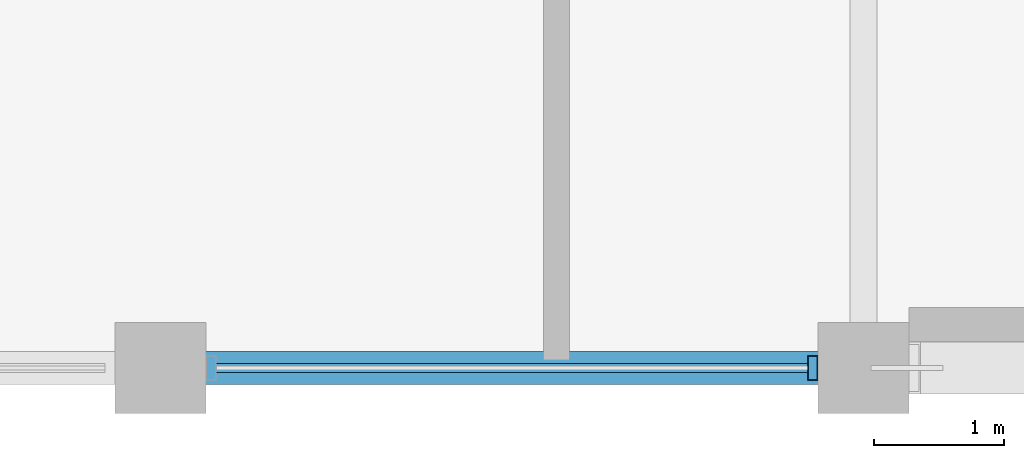
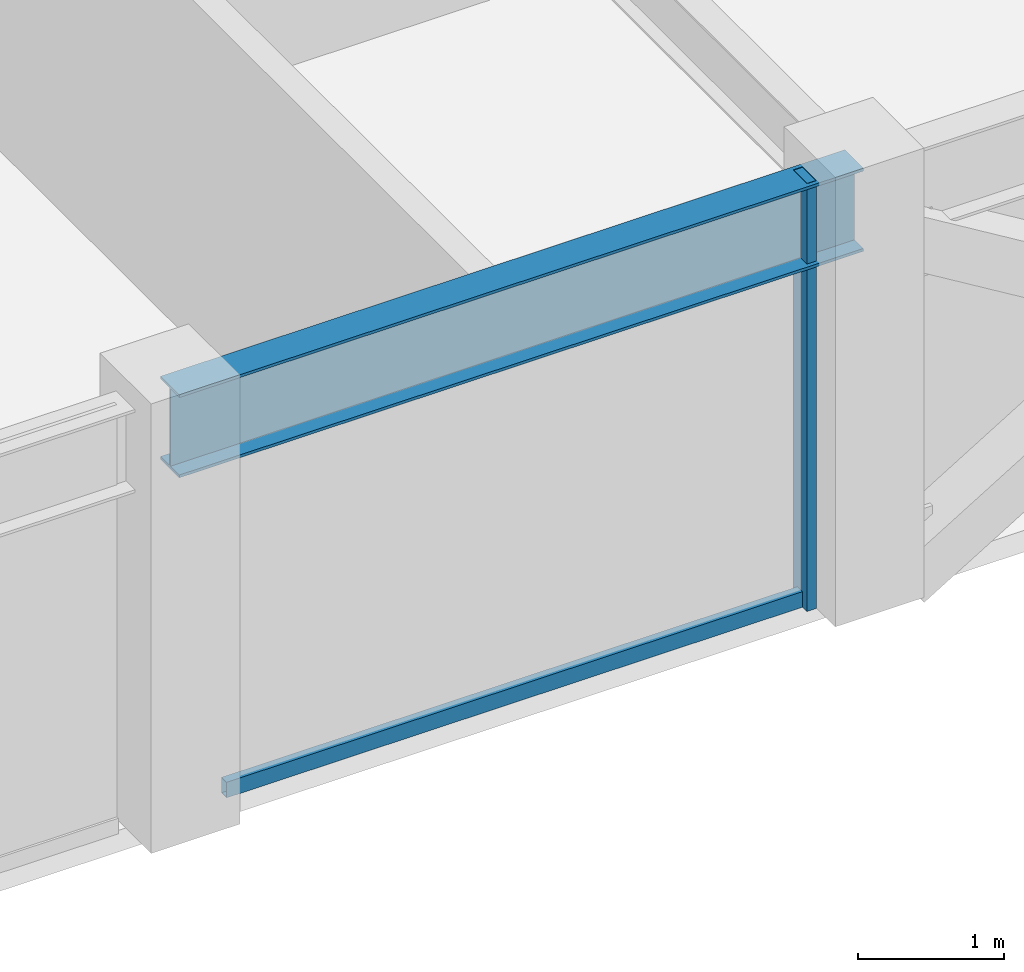
# One storey, part 3 of 31: 2 members, 1 beam, 1 element without a shape of its own.
"""IFC4 building model written with IfcOpenShell, lengths in metres."""

from ifc_helpers import new_model, si_unit, direction, frame, origin, origin_2d, place, context, subcontext, project, spatial, hollow_rectangle, i_section, extrude, material, layer, layer_set, material_profile, profile_set, type_object, element, aggregate, save


model = new_model("IFC4")

# Units and contexts
model_context = context("Model", 3, precision=1e-05, world=origin(), true_north=direction((0.0, 1.0)))
body_context = subcontext(model_context, "Body", "Model", "MODEL_VIEW")
ifc_project = project(units=[si_unit("LENGTHUNIT", "METRE"), si_unit("AREAUNIT", "SQUARE_METRE"), si_unit("VOLUMEUNIT", "CUBIC_METRE"), si_unit("PLANEANGLEUNIT", "RADIAN"), si_unit("MASSUNIT", "GRAM", prefix="KILO")], contexts=[model_context])

# Site, building, storey
site_placement = place(None, origin())
site = spatial("IfcSite", under=ifc_project, at=site_placement, CompositionType="ELEMENT")
building_placement = place(site_placement, origin())
building = spatial("IfcBuilding", under=site, at=building_placement, Name="Surkhivell Harbour Commons", CompositionType="ELEMENT")
storey_placement = place(building_placement, frame((0.0, 0.0, 285.0)))
storey = spatial("IfcBuildingStorey", under=building, at=storey_placement, Name="L74", CompositionType="ELEMENT", Elevation=285.0)

# Beam
ifc_material_1 = material(Name="Steel S355", Category="steel")
ifc_material_profile_1 = material_profile(ifc_material_1, i_section(OverallWidth=0.256103515625, OverallDepth=0.693115234375, WebThickness=0.014404296875, FlangeThickness=0.023681640625, at=origin_2d()), Name="UB686x254x170")
ifc_profile_set_1 = profile_set([ifc_material_profile_1], Name="Steel S355")
beam_type = type_object("IfcBeamType", Name="BM-SPN-686", PredefinedType="SPANDREL", material=ifc_profile_set_1)
beam_placement = place(storey_placement, frame((-16.199951171875, -21.60009765625, 3.223388671875), z_axis=(1.0, 0.0, 0.0), x_axis=(0.0, 1.0, 0.0)))
element("IfcBeam", 1, at=beam_placement, inside=storey, type_object=beam_type, Name="L74 Tube Spandrel (-16.2,-21.6)", PredefinedType="SPANDREL", context=body_context, shape_type="SweptSolid", body=[
    extrude(i_section(OverallWidth=0.256103515625, OverallDepth=0.693115234375, WebThickness=0.014404296875, FlangeThickness=0.023681640625, at=origin_2d()), origin(), (0.0, 0.0, 1.0), 5.39990234375),
])

# Curtain wall, members
ifc_material_2 = material(Name="Anodised pale-metal aluminium and insulated glazing", Category="aluminium")
ifc_layer = layer(ifc_material_2, 0.175048828125)
ifc_layer_set = layer_set([ifc_layer], Name="Anodised pale-metal aluminium and insulated glazing")
curtain_wall_type = type_object("IfcCurtainWallType", Name="CW-SYS-Z4", PredefinedType="NOTDEFINED", material=ifc_layer_set)
curtain_wall_placement = place(storey_placement, origin())
curtain_wall = element("IfcCurtainWall", 2, at=curtain_wall_placement, inside=storey, type_object=curtain_wall_type, Name="L74 Curtain Wall CW-L74-E00S1", PredefinedType="NOTDEFINED")
ifc_material_3 = material(Name="Anodised pale-metal aluminium alloy 6063-T6", Category="aluminium")
ifc_material_profile_2 = material_profile(ifc_material_3, hollow_rectangle(XDim=0.074951171875, YDim=0.18994140625, WallThickness=0.00390625, at=origin_2d()), Name="ALU-MULL-75x190")
ifc_profile_set_2 = profile_set([ifc_material_profile_2], Name="Anodised pale-metal aluminium alloy 6063-T6")
member_type_1 = type_object("IfcMemberType", Name="CWM-190", PredefinedType="MULLION", material=ifc_profile_set_2)
member_1_placement = place(storey_placement, frame((-11.189453125, -21.60009765625, 0.0), z_axis=(0.0, 0.0, 1.0), x_axis=(1.0, 0.0, 0.0)))
member_1 = element("IfcMember", 3, at=member_1_placement, type_object=member_type_1, Name="CW-Z4 mullion 3", PredefinedType="MULLION", context=body_context, shape_type="SweptSolid", body=[
    extrude(hollow_rectangle(XDim=0.074951171875, YDim=0.18994140625, WallThickness=0.00390625, at=origin_2d()), origin(), (0.0, 0.0, 1.0), 3.570068359375),
])
ifc_material_4 = material(Name="Champagne anodised aluminium alloy 6063-T6", Category="aluminium")
ifc_material_profile_3 = material_profile(ifc_material_4, hollow_rectangle(XDim=0.070068359375, YDim=0.1298828125, WallThickness=0.00341796875, at=origin_2d()), Name="ALU-TRAN-70x130")
ifc_profile_set_3 = profile_set([ifc_material_profile_3], Name="Champagne anodised aluminium alloy 6063-T6")
member_type_2 = type_object("IfcMemberType", Name="CWT-130", PredefinedType="USERDEFINED", material=ifc_profile_set_3)
member_2_placement = place(storey_placement, frame((-15.77294921875, -21.60009765625, 0.06494140625), z_axis=(1.0, 0.0, 0.0), x_axis=(0.0, 1.0, 0.0)))
member_2 = element("IfcMember", 4, at=member_2_placement, type_object=member_type_2, Name="CW-Z4 transom 2.1", ObjectType="TRANSOM", PredefinedType="USERDEFINED", context=body_context, shape_type="SweptSolid", body=[
    extrude(hollow_rectangle(XDim=0.070068359375, YDim=0.1298828125, WallThickness=0.00341796875, at=origin_2d()), origin(), (0.0, 0.0, 1.0), 4.5458984375),
])
aggregate(curtain_wall, [member_1, member_2])

save(model, "model.ifc")
